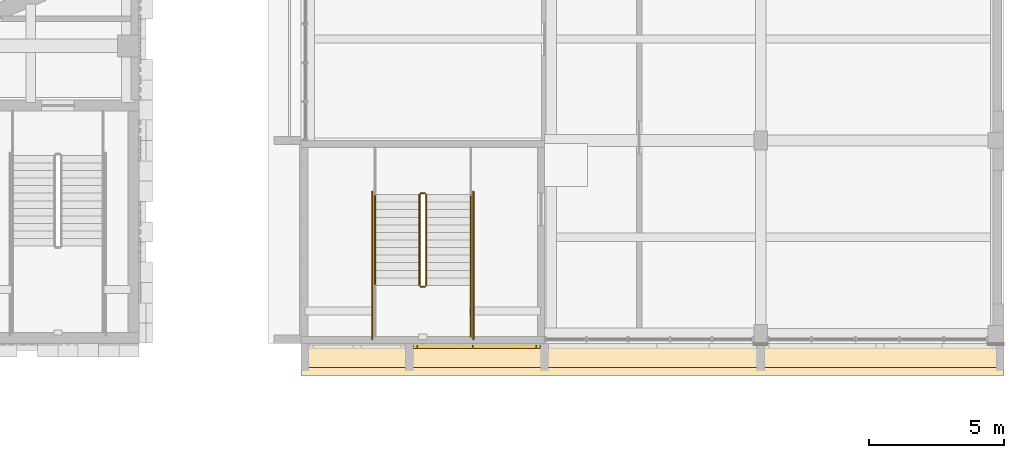
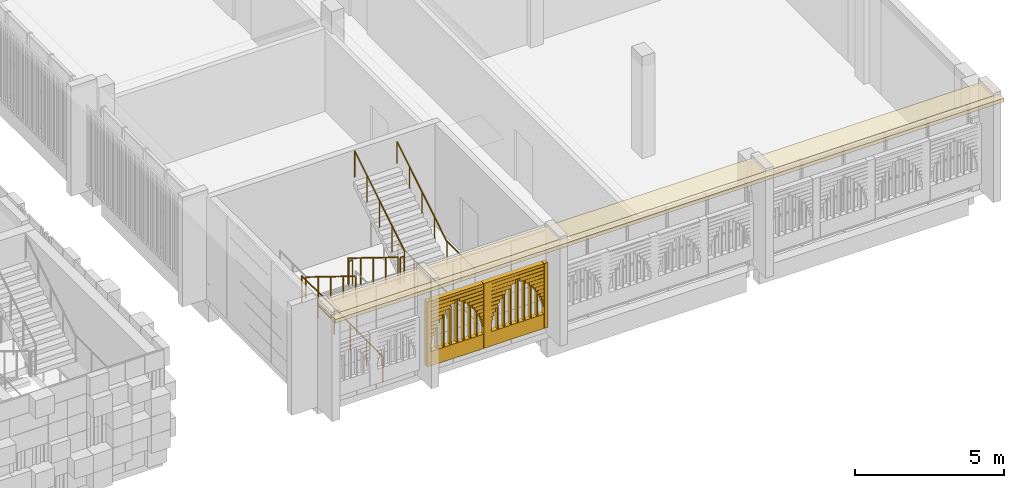
# One storey, part 77 of 92: 9 railings, 3 coverings.
"""IFC4 building model written with IfcOpenShell, lengths in metres."""

from ifc_helpers import new_model, si_unit, direction, frame, origin, origin_2d, place, context, subcontext, project, spatial, polyline, rectangle, circle, outline, extrude, material, layer, layer_set, type_object, element, save


model = new_model("IFC4")

# Units and contexts
model_context = context("Model", 3, precision=1e-05, world=origin(), true_north=direction((0.0, 1.0)))
body_context = subcontext(model_context, "Body", "Model", "MODEL_VIEW")
ifc_project = project(units=[si_unit("LENGTHUNIT", "METRE"), si_unit("AREAUNIT", "SQUARE_METRE"), si_unit("VOLUMEUNIT", "CUBIC_METRE"), si_unit("PLANEANGLEUNIT", "RADIAN"), si_unit("MASSUNIT", "GRAM", prefix="KILO")], contexts=[model_context])

# Site, building, storey
site_placement = place(None, origin())
site = spatial("IfcSite", under=ifc_project, at=site_placement, CompositionType="ELEMENT")
building_placement = place(site_placement, origin())
building = spatial("IfcBuilding", under=site, at=building_placement, Name="Sun Court Science Centre", CompositionType="ELEMENT")
storey_placement = place(building_placement, frame((0.0, 0.0, 11.25)))
storey = spatial("IfcBuildingStorey", under=building, at=storey_placement, Name="L02", CompositionType="ELEMENT", Elevation=11.25)

# Covering
ifc_material_1 = material(Name="Red sandstone", Category="masonry")
ifc_layer_1 = layer(ifc_material_1, 0.199951171875)
ifc_layer_set_1 = layer_set([ifc_layer_1], Name="Red sandstone")
covering_type_1 = type_object("IfcCoveringType", Name="Arched jali screen 200", PredefinedType="CLADDING", material=ifc_layer_set_1)
covering_1_placement = place(storey_placement, frame((0.0, 0.0, -11.25)))
element("IfcCovering", 1, at=covering_1_placement, inside=storey, type_object=covering_type_1, Name="Arched jali screen south L02 02", PredefinedType="CLADDING", context=body_context, shape_type="SweptSolid", body=[
    extrude(rectangle(XDim=0.139892578125, YDim=0.199951171875, at=origin_2d()), frame((82.22509765625, 5.89990234375, 11.55517578125), z_axis=(0.0, 0.0, 1.0), x_axis=(1.0, 0.0, 0.0)), (0.0, 0.0, 1.0), 2.665283203125),
    extrude(rectangle(XDim=0.2900390625, YDim=0.199951171875, at=origin_2d()), frame((84.5, 5.89990234375, 11.55517578125), z_axis=(0.0, 0.0, 1.0), x_axis=(1.0, 0.0, 0.0)), (0.0, 0.0, 1.0), 2.665283203125),
    extrude(rectangle(XDim=0.139892578125, YDim=0.199951171875, at=origin_2d()), frame((86.77490234375, 5.89990234375, 11.55517578125), z_axis=(0.0, 0.0, 1.0), x_axis=(1.0, 0.0, 0.0)), (0.0, 0.0, 1.0), 2.665283203125),
    extrude(rectangle(XDim=2.0400390625, YDim=0.199951171875, at=origin_2d()), frame((83.324951171875, 5.89990234375, 11.55517578125), z_axis=(0.0, 0.0, 1.0), x_axis=(1.0, 0.0, 0.0)), (0.0, 0.0, 1.0), 0.590087890625),
    extrude(rectangle(XDim=0.024658203125, YDim=0.199951171875, at=origin_2d()), frame((82.3173828125, 5.89990234375, 12.455078125), z_axis=(0.0, 0.0, 1.0), x_axis=(1.0, 0.0, 0.0)), (0.0, 0.0, 1.0), 0.139892578125),
    extrude(rectangle(XDim=0.024658203125, YDim=0.199951171875, at=origin_2d()), frame((84.332763671875, 5.89990234375, 12.455078125), z_axis=(0.0, 0.0, 1.0), x_axis=(1.0, 0.0, 0.0)), (0.0, 0.0, 1.0), 0.139892578125),
    extrude(rectangle(XDim=0.058349609375, YDim=0.199951171875, at=origin_2d()), frame((82.334228515625, 5.89990234375, 12.60498046875), z_axis=(0.0, 0.0, 1.0), x_axis=(1.0, 0.0, 0.0)), (0.0, 0.0, 1.0), 0.139892578125),
    extrude(rectangle(XDim=0.058349609375, YDim=0.199951171875, at=origin_2d()), frame((84.31591796875, 5.89990234375, 12.60498046875), z_axis=(0.0, 0.0, 1.0), x_axis=(1.0, 0.0, 0.0)), (0.0, 0.0, 1.0), 0.139892578125),
    extrude(rectangle(XDim=0.104248046875, YDim=0.199951171875, at=origin_2d()), frame((82.357177734375, 5.89990234375, 12.7548828125), z_axis=(0.0, 0.0, 1.0), x_axis=(1.0, 0.0, 0.0)), (0.0, 0.0, 1.0), 0.139892578125),
    extrude(rectangle(XDim=0.104248046875, YDim=0.199951171875, at=origin_2d()), frame((84.292724609375, 5.89990234375, 12.7548828125), z_axis=(0.0, 0.0, 1.0), x_axis=(1.0, 0.0, 0.0)), (0.0, 0.0, 1.0), 0.139892578125),
    extrude(rectangle(XDim=0.163330078125, YDim=0.199951171875, at=origin_2d()), frame((82.38671875, 5.89990234375, 12.9052734375), z_axis=(0.0, 0.0, 1.0), x_axis=(1.0, 0.0, 0.0)), (0.0, 0.0, 1.0), 0.139892578125),
    extrude(rectangle(XDim=0.163330078125, YDim=0.199951171875, at=origin_2d()), frame((84.263427734375, 5.89990234375, 12.9052734375), z_axis=(0.0, 0.0, 1.0), x_axis=(1.0, 0.0, 0.0)), (0.0, 0.0, 1.0), 0.139892578125),
    extrude(rectangle(XDim=0.23681640625, YDim=0.199951171875, at=origin_2d()), frame((82.42333984375, 5.89990234375, 13.05517578125), z_axis=(0.0, 0.0, 1.0), x_axis=(1.0, 0.0, 0.0)), (0.0, 0.0, 1.0), 0.139892578125),
    extrude(rectangle(XDim=0.23681640625, YDim=0.199951171875, at=origin_2d()), frame((84.2265625, 5.89990234375, 13.05517578125), z_axis=(0.0, 0.0, 1.0), x_axis=(1.0, 0.0, 0.0)), (0.0, 0.0, 1.0), 0.139892578125),
    extrude(rectangle(XDim=0.326171875, YDim=0.199951171875, at=origin_2d()), frame((82.468017578125, 5.89990234375, 13.205078125), z_axis=(0.0, 0.0, 1.0), x_axis=(1.0, 0.0, 0.0)), (0.0, 0.0, 1.0), 0.139892578125),
    extrude(rectangle(XDim=0.326171875, YDim=0.199951171875, at=origin_2d()), frame((84.181884765625, 5.89990234375, 13.205078125), z_axis=(0.0, 0.0, 1.0), x_axis=(1.0, 0.0, 0.0)), (0.0, 0.0, 1.0), 0.139892578125),
    extrude(rectangle(XDim=0.434814453125, YDim=0.199951171875, at=origin_2d()), frame((82.5224609375, 5.89990234375, 13.35498046875), z_axis=(0.0, 0.0, 1.0), x_axis=(1.0, 0.0, 0.0)), (0.0, 0.0, 1.0), 0.139892578125),
    extrude(rectangle(XDim=0.434814453125, YDim=0.199951171875, at=origin_2d()), frame((84.127685546875, 5.89990234375, 13.35498046875), z_axis=(0.0, 0.0, 1.0), x_axis=(1.0, 0.0, 0.0)), (0.0, 0.0, 1.0), 0.139892578125),
    extrude(rectangle(XDim=0.566162109375, YDim=0.199951171875, at=origin_2d()), frame((82.588134765625, 5.89990234375, 13.5048828125), z_axis=(0.0, 0.0, 1.0), x_axis=(1.0, 0.0, 0.0)), (0.0, 0.0, 1.0), 0.139892578125),
    extrude(rectangle(XDim=0.566162109375, YDim=0.199951171875, at=origin_2d()), frame((84.061767578125, 5.89990234375, 13.5048828125), z_axis=(0.0, 0.0, 1.0), x_axis=(1.0, 0.0, 0.0)), (0.0, 0.0, 1.0), 0.139892578125),
    extrude(rectangle(XDim=0.727783203125, YDim=0.199951171875, at=origin_2d()), frame((82.6689453125, 5.89990234375, 13.6552734375), z_axis=(0.0, 0.0, 1.0), x_axis=(1.0, 0.0, 0.0)), (0.0, 0.0, 1.0), 0.139892578125),
    extrude(rectangle(XDim=0.727783203125, YDim=0.199951171875, at=origin_2d()), frame((83.981201171875, 5.89990234375, 13.6552734375), z_axis=(0.0, 0.0, 1.0), x_axis=(1.0, 0.0, 0.0)), (0.0, 0.0, 1.0), 0.139892578125),
    extrude(rectangle(XDim=0.932373046875, YDim=0.199951171875, at=origin_2d()), frame((82.771240234375, 5.89990234375, 13.80517578125), z_axis=(0.0, 0.0, 1.0), x_axis=(1.0, 0.0, 0.0)), (0.0, 0.0, 1.0), 0.139892578125),
    extrude(rectangle(XDim=0.932373046875, YDim=0.199951171875, at=origin_2d()), frame((83.87890625, 5.89990234375, 13.80517578125), z_axis=(0.0, 0.0, 1.0), x_axis=(1.0, 0.0, 0.0)), (0.0, 0.0, 1.0), 0.139892578125),
    extrude(rectangle(XDim=2.0400390625, YDim=0.199951171875, at=origin_2d()), frame((83.324951171875, 5.89990234375, 13.955078125), z_axis=(0.0, 0.0, 1.0), x_axis=(1.0, 0.0, 0.0)), (0.0, 0.0, 1.0), 0.139892578125),
    extrude(rectangle(XDim=2.0400390625, YDim=0.199951171875, at=origin_2d()), frame((83.324951171875, 5.89990234375, 14.10498046875), z_axis=(0.0, 0.0, 1.0), x_axis=(1.0, 0.0, 0.0)), (0.0, 0.0, 1.0), 0.115234375),
    extrude(rectangle(XDim=0.0400390625, YDim=0.199951171875, at=origin_2d()), frame((82.55615234375, 5.89990234375, 12.155029296875), z_axis=(0.0, 0.0, 1.0), x_axis=(1.0, 0.0, 0.0)), (0.0, 0.0, 1.0), 0.982421875),
    extrude(rectangle(XDim=0.0400390625, YDim=0.199951171875, at=origin_2d()), frame((82.8125, 5.89990234375, 12.15478515625), z_axis=(0.0, 0.0, 1.0), x_axis=(1.0, 0.0, 0.0)), (0.0, 0.0, 1.0), 1.345947265625),
    extrude(rectangle(XDim=0.0400390625, YDim=0.199951171875, at=origin_2d()), frame((83.06884765625, 5.89990234375, 12.155029296875), z_axis=(0.0, 0.0, 1.0), x_axis=(1.0, 0.0, 0.0)), (0.0, 0.0, 1.0), 1.59033203125),
    extrude(rectangle(XDim=0.0400390625, YDim=0.199951171875, at=origin_2d()), frame((83.324951171875, 5.89990234375, 12.15478515625), z_axis=(0.0, 0.0, 1.0), x_axis=(1.0, 0.0, 0.0)), (0.0, 0.0, 1.0), 1.765380859375),
    extrude(rectangle(XDim=0.0400390625, YDim=0.199951171875, at=origin_2d()), frame((83.581298828125, 5.89990234375, 12.155029296875), z_axis=(0.0, 0.0, 1.0), x_axis=(1.0, 0.0, 0.0)), (0.0, 0.0, 1.0), 1.59033203125),
    extrude(rectangle(XDim=0.0400390625, YDim=0.199951171875, at=origin_2d()), frame((83.83740234375, 5.89990234375, 12.15478515625), z_axis=(0.0, 0.0, 1.0), x_axis=(1.0, 0.0, 0.0)), (0.0, 0.0, 1.0), 1.345947265625),
    extrude(rectangle(XDim=0.0400390625, YDim=0.199951171875, at=origin_2d()), frame((84.09375, 5.89990234375, 12.155029296875), z_axis=(0.0, 0.0, 1.0), x_axis=(1.0, 0.0, 0.0)), (0.0, 0.0, 1.0), 0.982421875),
    extrude(rectangle(XDim=2.0400390625, YDim=0.199951171875, at=origin_2d()), frame((85.675048828125, 5.89990234375, 11.55517578125), z_axis=(0.0, 0.0, 1.0), x_axis=(1.0, 0.0, 0.0)), (0.0, 0.0, 1.0), 0.590087890625),
    extrude(rectangle(XDim=0.024658203125, YDim=0.199951171875, at=origin_2d()), frame((84.667236328125, 5.89990234375, 12.455078125), z_axis=(0.0, 0.0, 1.0), x_axis=(1.0, 0.0, 0.0)), (0.0, 0.0, 1.0), 0.139892578125),
    extrude(rectangle(XDim=0.024658203125, YDim=0.199951171875, at=origin_2d()), frame((86.6826171875, 5.89990234375, 12.455078125), z_axis=(0.0, 0.0, 1.0), x_axis=(1.0, 0.0, 0.0)), (0.0, 0.0, 1.0), 0.139892578125),
    extrude(rectangle(XDim=0.058349609375, YDim=0.199951171875, at=origin_2d()), frame((84.68408203125, 5.89990234375, 12.60498046875), z_axis=(0.0, 0.0, 1.0), x_axis=(1.0, 0.0, 0.0)), (0.0, 0.0, 1.0), 0.139892578125),
    extrude(rectangle(XDim=0.058349609375, YDim=0.199951171875, at=origin_2d()), frame((86.665771484375, 5.89990234375, 12.60498046875), z_axis=(0.0, 0.0, 1.0), x_axis=(1.0, 0.0, 0.0)), (0.0, 0.0, 1.0), 0.139892578125),
    extrude(rectangle(XDim=0.104248046875, YDim=0.199951171875, at=origin_2d()), frame((84.707275390625, 5.89990234375, 12.7548828125), z_axis=(0.0, 0.0, 1.0), x_axis=(1.0, 0.0, 0.0)), (0.0, 0.0, 1.0), 0.139892578125),
    extrude(rectangle(XDim=0.104248046875, YDim=0.199951171875, at=origin_2d()), frame((86.642822265625, 5.89990234375, 12.7548828125), z_axis=(0.0, 0.0, 1.0), x_axis=(1.0, 0.0, 0.0)), (0.0, 0.0, 1.0), 0.139892578125),
    extrude(rectangle(XDim=0.163330078125, YDim=0.199951171875, at=origin_2d()), frame((84.736572265625, 5.89990234375, 12.9052734375), z_axis=(0.0, 0.0, 1.0), x_axis=(1.0, 0.0, 0.0)), (0.0, 0.0, 1.0), 0.139892578125),
    extrude(rectangle(XDim=0.163330078125, YDim=0.199951171875, at=origin_2d()), frame((86.61328125, 5.89990234375, 12.9052734375), z_axis=(0.0, 0.0, 1.0), x_axis=(1.0, 0.0, 0.0)), (0.0, 0.0, 1.0), 0.139892578125),
    extrude(rectangle(XDim=0.23681640625, YDim=0.199951171875, at=origin_2d()), frame((84.7734375, 5.89990234375, 13.05517578125), z_axis=(0.0, 0.0, 1.0), x_axis=(1.0, 0.0, 0.0)), (0.0, 0.0, 1.0), 0.139892578125),
    extrude(rectangle(XDim=0.23681640625, YDim=0.199951171875, at=origin_2d()), frame((86.57666015625, 5.89990234375, 13.05517578125), z_axis=(0.0, 0.0, 1.0), x_axis=(1.0, 0.0, 0.0)), (0.0, 0.0, 1.0), 0.139892578125),
    extrude(rectangle(XDim=0.326171875, YDim=0.199951171875, at=origin_2d()), frame((84.818115234375, 5.89990234375, 13.205078125), z_axis=(0.0, 0.0, 1.0), x_axis=(1.0, 0.0, 0.0)), (0.0, 0.0, 1.0), 0.139892578125),
    extrude(rectangle(XDim=0.326171875, YDim=0.199951171875, at=origin_2d()), frame((86.531982421875, 5.89990234375, 13.205078125), z_axis=(0.0, 0.0, 1.0), x_axis=(1.0, 0.0, 0.0)), (0.0, 0.0, 1.0), 0.139892578125),
    extrude(rectangle(XDim=0.434814453125, YDim=0.199951171875, at=origin_2d()), frame((84.872314453125, 5.89990234375, 13.35498046875), z_axis=(0.0, 0.0, 1.0), x_axis=(1.0, 0.0, 0.0)), (0.0, 0.0, 1.0), 0.139892578125),
    extrude(rectangle(XDim=0.434814453125, YDim=0.199951171875, at=origin_2d()), frame((86.4775390625, 5.89990234375, 13.35498046875), z_axis=(0.0, 0.0, 1.0), x_axis=(1.0, 0.0, 0.0)), (0.0, 0.0, 1.0), 0.139892578125),
    extrude(rectangle(XDim=0.566162109375, YDim=0.199951171875, at=origin_2d()), frame((84.938232421875, 5.89990234375, 13.5048828125), z_axis=(0.0, 0.0, 1.0), x_axis=(1.0, 0.0, 0.0)), (0.0, 0.0, 1.0), 0.139892578125),
    extrude(rectangle(XDim=0.566162109375, YDim=0.199951171875, at=origin_2d()), frame((86.411865234375, 5.89990234375, 13.5048828125), z_axis=(0.0, 0.0, 1.0), x_axis=(1.0, 0.0, 0.0)), (0.0, 0.0, 1.0), 0.139892578125),
    extrude(rectangle(XDim=0.727783203125, YDim=0.199951171875, at=origin_2d()), frame((85.018798828125, 5.89990234375, 13.6552734375), z_axis=(0.0, 0.0, 1.0), x_axis=(1.0, 0.0, 0.0)), (0.0, 0.0, 1.0), 0.139892578125),
    extrude(rectangle(XDim=0.727783203125, YDim=0.199951171875, at=origin_2d()), frame((86.3310546875, 5.89990234375, 13.6552734375), z_axis=(0.0, 0.0, 1.0), x_axis=(1.0, 0.0, 0.0)), (0.0, 0.0, 1.0), 0.139892578125),
    extrude(rectangle(XDim=0.932373046875, YDim=0.199951171875, at=origin_2d()), frame((85.12109375, 5.89990234375, 13.80517578125), z_axis=(0.0, 0.0, 1.0), x_axis=(1.0, 0.0, 0.0)), (0.0, 0.0, 1.0), 0.139892578125),
    extrude(rectangle(XDim=0.932373046875, YDim=0.199951171875, at=origin_2d()), frame((86.228759765625, 5.89990234375, 13.80517578125), z_axis=(0.0, 0.0, 1.0), x_axis=(1.0, 0.0, 0.0)), (0.0, 0.0, 1.0), 0.139892578125),
    extrude(rectangle(XDim=2.0400390625, YDim=0.199951171875, at=origin_2d()), frame((85.675048828125, 5.89990234375, 13.955078125), z_axis=(0.0, 0.0, 1.0), x_axis=(1.0, 0.0, 0.0)), (0.0, 0.0, 1.0), 0.139892578125),
    extrude(rectangle(XDim=2.0400390625, YDim=0.199951171875, at=origin_2d()), frame((85.675048828125, 5.89990234375, 14.10498046875), z_axis=(0.0, 0.0, 1.0), x_axis=(1.0, 0.0, 0.0)), (0.0, 0.0, 1.0), 0.115234375),
    extrude(rectangle(XDim=0.0400390625, YDim=0.199951171875, at=origin_2d()), frame((84.90625, 5.89990234375, 12.155029296875), z_axis=(0.0, 0.0, 1.0), x_axis=(1.0, 0.0, 0.0)), (0.0, 0.0, 1.0), 0.982421875),
    extrude(rectangle(XDim=0.0400390625, YDim=0.199951171875, at=origin_2d()), frame((85.16259765625, 5.89990234375, 12.15478515625), z_axis=(0.0, 0.0, 1.0), x_axis=(1.0, 0.0, 0.0)), (0.0, 0.0, 1.0), 1.345947265625),
    extrude(rectangle(XDim=0.0400390625, YDim=0.199951171875, at=origin_2d()), frame((85.418701171875, 5.89990234375, 12.155029296875), z_axis=(0.0, 0.0, 1.0), x_axis=(1.0, 0.0, 0.0)), (0.0, 0.0, 1.0), 1.59033203125),
    extrude(rectangle(XDim=0.0400390625, YDim=0.199951171875, at=origin_2d()), frame((85.675048828125, 5.89990234375, 12.15478515625), z_axis=(0.0, 0.0, 1.0), x_axis=(1.0, 0.0, 0.0)), (0.0, 0.0, 1.0), 1.765380859375),
    extrude(rectangle(XDim=0.0400390625, YDim=0.199951171875, at=origin_2d()), frame((85.93115234375, 5.89990234375, 12.155029296875), z_axis=(0.0, 0.0, 1.0), x_axis=(1.0, 0.0, 0.0)), (0.0, 0.0, 1.0), 1.59033203125),
    extrude(rectangle(XDim=0.0400390625, YDim=0.199951171875, at=origin_2d()), frame((86.1875, 5.89990234375, 12.15478515625), z_axis=(0.0, 0.0, 1.0), x_axis=(1.0, 0.0, 0.0)), (0.0, 0.0, 1.0), 1.345947265625),
    extrude(rectangle(XDim=0.0400390625, YDim=0.199951171875, at=origin_2d()), frame((86.44384765625, 5.89990234375, 12.155029296875), z_axis=(0.0, 0.0, 1.0), x_axis=(1.0, 0.0, 0.0)), (0.0, 0.0, 1.0), 0.982421875),
])

# Railings
ifc_material_2 = material(Name="Steel S275", Category="steel")
railing_type_1 = type_object("IfcRailingType", Name="Guard 1100 steel balustrade", PredefinedType="GUARDRAIL", material=ifc_material_2)
railing_1_placement = place(storey_placement, frame((82.375, 11.501953125, 0.173095703125)))
element("IfcRailing", 2, at=railing_1_placement, inside=storey, type_object=railing_type_1, Name="L02 SL1 stair guard 1", PredefinedType="GUARDRAIL", context=body_context, shape_type="SweptSolid", body=[
    extrude(circle(Radius=0.02392578125, at=origin_2d()), frame((0.0, 0.0, 1.076171875), z_axis=(0.0, -0.850606129759, 0.525803396734), x_axis=(1.0, 0.0, 0.0)), (0.0, 0.0, 1.0), 3.949951171875),
    extrude(circle(Radius=0.02099609375, at=origin_2d()), origin(), (0.0, 0.0, 1.0), 1.052001953125),
    extrude(circle(Radius=0.02099609375, at=origin_2d()), frame((0.0, -0.83984375, 0.519287109375)), (0.0, 0.0, 1.0), 1.052001953125),
    extrude(circle(Radius=0.02099609375, at=origin_2d()), frame((0.0, -1.679931640625, 1.03857421875)), (0.0, 0.0, 1.0), 1.052001953125),
    extrude(circle(Radius=0.02099609375, at=origin_2d()), frame((0.0, -2.52001953125, 1.5576171875)), (0.0, 0.0, 1.0), 1.052001953125),
    extrude(circle(Radius=0.02099609375, at=origin_2d()), frame((0.0, -3.35986328125, 2.076904296875)), (0.0, 0.0, 1.0), 1.052001953125),
])
railing_2_placement = place(storey_placement, frame((82.425048828125, 8.092041015625, 2.25)))
element("IfcRailing", 3, at=railing_2_placement, inside=storey, type_object=railing_type_1, Name="L02 SL1 stair guard 2", PredefinedType="GUARDRAIL", context=body_context, shape_type="SweptSolid", body=[
    extrude(circle(Radius=0.02392578125, at=origin_2d()), frame((0.0, 0.0, 1.076171875), z_axis=(1.0, 0.0, 0.0), x_axis=(0.0, 1.0, 0.0)), (0.0, 0.0, 1.0), 0.14990234375),
    extrude(circle(Radius=0.02099609375, at=origin_2d()), origin(), (0.0, 0.0, 1.0), 1.052001953125),
    extrude(circle(Radius=0.02099609375, at=origin_2d()), frame((0.14990234375, 0.0, 0.0)), (0.0, 0.0, 1.0), 1.052001953125),
])
railing_3_placement = place(storey_placement, frame((84.27294921875, 8.14208984375, 2.25)))
element("IfcRailing", 4, at=railing_3_placement, inside=storey, type_object=railing_type_1, Name="L02 SL1 stair guard 4", PredefinedType="GUARDRAIL", context=body_context, shape_type="SweptSolid", body=[
    extrude(circle(Radius=0.02392578125, at=origin_2d()), frame((0.0, 0.0, 1.076171875), z_axis=(0.0, -1.0, 0.0), x_axis=(1.0, 0.0, 0.0)), (0.0, 0.0, 1.0), 1.89208984375),
    extrude(circle(Radius=0.02099609375, at=origin_2d()), origin(), (0.0, 0.0, 1.0), 1.052001953125),
    extrude(circle(Radius=0.02099609375, at=origin_2d()), frame((0.0, -0.946044921875, 0.0)), (0.0, 0.0, 1.0), 1.052001953125),
    extrude(circle(Radius=0.02099609375, at=origin_2d()), frame((0.0, -1.89208984375, 0.0)), (0.0, 0.0, 1.0), 1.052001953125),
])
railing_4_placement = place(storey_placement, frame((82.625, 8.14208984375, 2.423095703125)))
element("IfcRailing", 5, at=railing_4_placement, inside=storey, type_object=railing_type_1, Name="L02 SL1 stair guard 5", PredefinedType="GUARDRAIL", context=body_context, shape_type="SweptSolid", body=[
    extrude(circle(Radius=0.02392578125, at=origin_2d()), frame((0.0, 0.0, 1.076171875), z_axis=(0.0, 0.850606129759, 0.525803396734), x_axis=(-1.0, 0.0, 0.0)), (0.0, 0.0, 1.0), 3.949951171875),
    extrude(circle(Radius=0.02099609375, at=origin_2d()), origin(), (0.0, 0.0, 1.0), 1.052001953125),
    extrude(circle(Radius=0.02099609375, at=origin_2d()), frame((0.0, 0.83984375, 0.519287109375)), (0.0, 0.0, 1.0), 1.052001953125),
    extrude(circle(Radius=0.02099609375, at=origin_2d()), frame((0.0, 1.679931640625, 1.03857421875)), (0.0, 0.0, 1.0), 1.052001953125),
    extrude(circle(Radius=0.02099609375, at=origin_2d()), frame((0.0, 2.52001953125, 1.5576171875)), (0.0, 0.0, 1.0), 1.052001953125),
    extrude(circle(Radius=0.02099609375, at=origin_2d()), frame((0.0, 3.35986328125, 2.076904296875)), (0.0, 0.0, 1.0), 1.052001953125),
])
railing_5_placement = place(storey_placement, frame((82.425048828125, 11.552001953125, 0.0)))
element("IfcRailing", 6, at=railing_5_placement, inside=storey, type_object=railing_type_1, Name="L02 SL1 stair guard 6", PredefinedType="GUARDRAIL", context=body_context, shape_type="SweptSolid", body=[
    extrude(circle(Radius=0.02392578125, at=origin_2d()), frame((0.0, 0.0, 1.076171875), z_axis=(1.0, 0.0, 0.0), x_axis=(0.0, 1.0, 0.0)), (0.0, 0.0, 1.0), 0.14990234375),
    extrude(circle(Radius=0.02099609375, at=origin_2d()), origin(), (0.0, 0.0, 1.0), 1.052001953125),
    extrude(circle(Radius=0.02099609375, at=origin_2d()), frame((0.14990234375, 0.0, 0.0)), (0.0, 0.0, 1.0), 1.052001953125),
])
for number, where, name in (
    (7, (80.626953125, 11.60205078125, 0.0), "L02 SL1 stair guard 9"),
    (8, (84.373046875, 11.60205078125, 0.0), "L02 SL1 stair guard 10"),
):
    element("IfcRailing", number, at=place(storey_placement, frame(where)), inside=storey, type_object=railing_type_1, Name=name, PredefinedType="GUARDRAIL", context=body_context, shape_type="SweptSolid", body=[
        extrude(circle(Radius=0.02392578125, at=origin_2d()), frame((0.0, 0.0, 1.076171875), z_axis=(0.0, -1.0, 0.0), x_axis=(1.0, 0.0, 0.0)), (0.0, 0.0, 1.0), 5.4521484375),
        extrude(circle(Radius=0.02099609375, at=origin_2d()), origin(), (0.0, 0.0, 1.0), 1.052001953125),
        extrude(circle(Radius=0.02099609375, at=origin_2d()), frame((0.0, -1.09033203125, 0.0)), (0.0, 0.0, 1.0), 1.052001953125),
        extrude(circle(Radius=0.02099609375, at=origin_2d()), frame((0.0, -2.180908203125, 0.0)), (0.0, 0.0, 1.0), 1.052001953125),
        extrude(circle(Radius=0.02099609375, at=origin_2d()), frame((0.0, -3.271240234375, 0.0)), (0.0, 0.0, 1.0), 1.052001953125),
        extrude(circle(Radius=0.02099609375, at=origin_2d()), frame((0.0, -4.36181640625, 0.0)), (0.0, 0.0, 1.0), 1.052001953125),
        extrude(circle(Radius=0.02099609375, at=origin_2d()), frame((0.0, -5.4521484375, 0.0)), (0.0, 0.0, 1.0), 1.052001953125),
    ])
ifc_material_3 = material(Name="Stainless steel", Category="steel")
railing_type_2 = type_object("IfcRailingType", Name="Handrail 900 stainless", PredefinedType="HANDRAIL", material=ifc_material_3)
railing_6_placement = place(storey_placement, frame((80.72705078125, 11.501953125, 0.173095703125)))
element("IfcRailing", 9, at=railing_6_placement, inside=storey, type_object=railing_type_2, Name="L02 SL1 stair handrail 1", PredefinedType="HANDRAIL", context=body_context, shape_type="SweptSolid", body=[
    extrude(circle(Radius=0.02392578125, at=origin_2d()), frame((0.0, 0.0, 0.8759765625), z_axis=(0.0, -0.850606129759, 0.525803396734), x_axis=(1.0, 0.0, 0.0)), (0.0, 0.0, 1.0), 3.949951171875),
    extrude(circle(Radius=0.02099609375, at=origin_2d()), origin(), (0.0, 0.0, 1.0), 0.851806640625),
    extrude(circle(Radius=0.02099609375, at=origin_2d()), frame((0.0, -0.83984375, 0.519287109375)), (0.0, 0.0, 1.0), 0.851806640625),
    extrude(circle(Radius=0.02099609375, at=origin_2d()), frame((0.0, -1.679931640625, 1.03857421875)), (0.0, 0.0, 1.0), 0.851806640625),
    extrude(circle(Radius=0.02099609375, at=origin_2d()), frame((0.0, -2.52001953125, 1.5576171875)), (0.0, 0.0, 1.0), 0.851806640625),
    extrude(circle(Radius=0.02099609375, at=origin_2d()), frame((0.0, -3.35986328125, 2.076904296875)), (0.0, 0.0, 1.0), 0.851806640625),
])
railing_7_placement = place(storey_placement, frame((84.27294921875, 8.14208984375, 2.423095703125)))
element("IfcRailing", 10, at=railing_7_placement, inside=storey, type_object=railing_type_2, Name="L02 SL1 stair handrail 2", PredefinedType="HANDRAIL", context=body_context, shape_type="SweptSolid", body=[
    extrude(circle(Radius=0.02392578125, at=origin_2d()), frame((0.0, 0.0, 0.8759765625), z_axis=(0.0, 0.850606129759, 0.525803396734), x_axis=(-1.0, 0.0, 0.0)), (0.0, 0.0, 1.0), 3.949951171875),
    extrude(circle(Radius=0.02099609375, at=origin_2d()), origin(), (0.0, 0.0, 1.0), 0.851806640625),
    extrude(circle(Radius=0.02099609375, at=origin_2d()), frame((0.0, 0.83984375, 0.519287109375)), (0.0, 0.0, 1.0), 0.851806640625),
    extrude(circle(Radius=0.02099609375, at=origin_2d()), frame((0.0, 1.679931640625, 1.03857421875)), (0.0, 0.0, 1.0), 0.851806640625),
    extrude(circle(Radius=0.02099609375, at=origin_2d()), frame((0.0, 2.52001953125, 1.5576171875)), (0.0, 0.0, 1.0), 0.851806640625),
    extrude(circle(Radius=0.02099609375, at=origin_2d()), frame((0.0, 3.35986328125, 2.076904296875)), (0.0, 0.0, 1.0), 0.851806640625),
])

# Coverings
ifc_material_4 = material(Name="Red sandstone", Category="masonry")
ifc_layer_2 = layer(ifc_material_4, 0.14990234375)
ifc_layer_set_2 = layer_set([ifc_layer_2], Name="Red sandstone")
covering_type_2 = type_object("IfcCoveringType", Name="Sandstone chhajja eave 1200", PredefinedType="CLADDING", material=ifc_layer_set_2)
covering_2_placement = place(storey_placement, frame((0.0, 0.0, 4.169921875)))
element("IfcCovering", 11, at=covering_2_placement, inside=storey, type_object=covering_type_2, Name="Chhajja eave south face L02", PredefinedType="CLADDING", context=body_context, shape_type="SweptSolid", body=[
    extrude(outline(polyline([(78.0, 6.0), (104.0, 6.0), (104.0, 4.800048828125), (78.0, 4.800048828125), (78.0, 6.0)])), origin(), (0.0, 0.0, 1.0), 0.150146484375),
])
ifc_material_5 = material(Name="Red sandstone", Category="masonry")
ifc_layer_3 = layer(ifc_material_5, 0.1201171875)
ifc_layer_set_3 = layer_set([ifc_layer_3], Name="Red sandstone")
covering_type_3 = type_object("IfcCoveringType", Name="Sandstone chhajja eave 900", PredefinedType="CLADDING", material=ifc_layer_set_3)
covering_3_placement = place(storey_placement, frame((0.0, 0.0, 4.199951171875)))
element("IfcCovering", 12, at=covering_3_placement, inside=storey, type_object=covering_type_3, Name="Chhajja eave south face L02", PredefinedType="CLADDING", context=body_context, shape_type="SweptSolid", body=[
    extrude(outline(polyline([(104.0, 6.0), (78.0, 6.0), (78.0, 5.10009765625), (104.0, 5.10009765625), (104.0, 6.0)])), origin(), (0.0, 0.0, 1.0), 0.1201171875),
])

save(model, "model.ifc")
